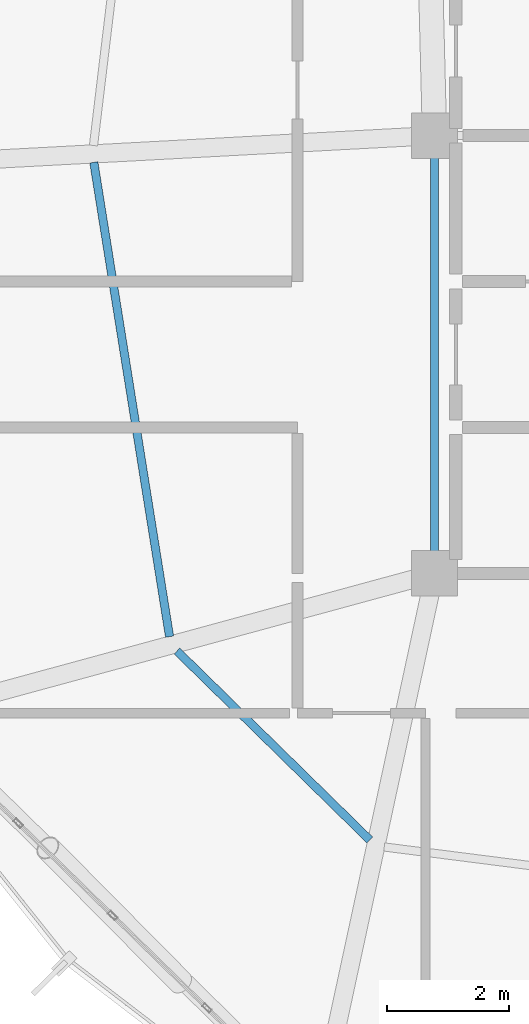
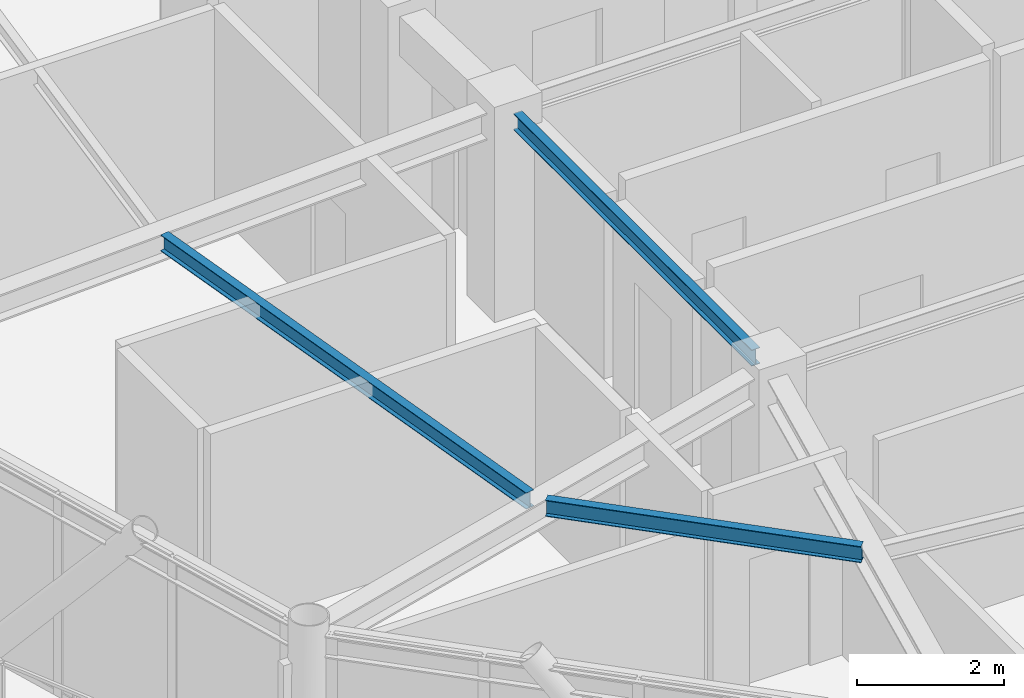
# One storey, part 5 of 25: 3 beams.
"""IFC4 building model written with IfcOpenShell, lengths in metres."""

from ifc_helpers import new_model, si_unit, direction, frame, origin, origin_2d, place, context, subcontext, project, spatial, i_section, extrude, material, material_profile, profile_set, type_object, element, save


model = new_model("IFC4")

# Units and contexts
model_context = context("Model", 3, precision=1e-05, world=origin(), true_north=direction((0.0, 1.0)))
body_context = subcontext(model_context, "Body", "Model", "MODEL_VIEW")
ifc_project = project(units=[si_unit("LENGTHUNIT", "METRE"), si_unit("AREAUNIT", "SQUARE_METRE"), si_unit("VOLUMEUNIT", "CUBIC_METRE"), si_unit("PLANEANGLEUNIT", "RADIAN"), si_unit("MASSUNIT", "GRAM", prefix="KILO")], contexts=[model_context])

# Site, building, storey
site_placement = place(None, origin())
site = spatial("IfcSite", under=ifc_project, at=site_placement, CompositionType="ELEMENT")
building_placement = place(site_placement, origin())
building = spatial("IfcBuilding", under=site, at=building_placement, Name="Varnakorn Sky Granary", CompositionType="ELEMENT")
storey_placement = place(building_placement, frame((0.0, 0.0, 252.60009765625)))
storey = spatial("IfcBuildingStorey", under=building, at=storey_placement, Name="L64", CompositionType="ELEMENT", Elevation=252.60009765625)

# Beams
ifc_material = material(Name="Steel S355JR", Category="steel")
ifc_material_profile = material_profile(ifc_material, i_section(OverallWidth=0.135009765625, OverallDepth=0.27001953125, WebThickness=0.006591796875, FlangeThickness=0.01025390625, at=origin_2d()), Name="IPE 270")
ifc_profile_set = profile_set([ifc_material_profile], Name="Steel S355JR")
beam_type = type_object("IfcBeamType", Name="BM-SEC-Z5", PredefinedType="BEAM", material=ifc_profile_set)
beam_1_placement = place(storey_placement, frame((-7.953125, 0.1591796875, 3.224853515625), z_axis=(0.157689135346, -0.987488803275, 0.0), x_axis=(0.987488803275, 0.157689135346, 0.0)))
element("IfcBeam", 1, at=beam_1_placement, inside=storey, type_object=beam_type, Name="Secondary Floor Chord Beam MSB07 L64", PredefinedType="BEAM", context=body_context, shape_type="SweptSolid", body=[
    extrude(i_section(OverallWidth=0.135009765625, OverallDepth=0.27001953125, WebThickness=0.006591796875, FlangeThickness=0.01025390625, at=origin_2d()), origin(), (0.0, 0.0, 1.0), 7.899169921875),
])
beam_2_placement = place(storey_placement, frame((-6.58544921875, -7.87744140625, 3.224853515625), z_axis=(0.714167190406, -0.699975159664, 0.0), x_axis=(0.699975159664, 0.714167190406, 0.0)))
element("IfcBeam", 2, at=beam_2_placement, inside=storey, type_object=beam_type, Name="Secondary Floor Chord Beam MSB08 L64", PredefinedType="BEAM", context=body_context, shape_type="SweptSolid", body=[
    extrude(i_section(OverallWidth=0.135009765625, OverallDepth=0.27001953125, WebThickness=0.006591796875, FlangeThickness=0.01025390625, at=origin_2d()), origin(), (0.0, 0.0, 1.0), 4.438232421875),
])
beam_3_placement = place(storey_placement, frame((-2.35009765625, 0.2451171875, 3.224853515625), z_axis=(0.0, -1.0, 0.0), x_axis=(1.0, 0.0, 0.0)))
element("IfcBeam", 3, at=beam_3_placement, inside=storey, type_object=beam_type, Name="Core Spine Framing Beam 3 L64", PredefinedType="BEAM", context=body_context, shape_type="SweptSolid", body=[
    extrude(i_section(OverallWidth=0.135009765625, OverallDepth=0.27001953125, WebThickness=0.006591796875, FlangeThickness=0.01025390625, at=origin_2d()), origin(), (0.0, 0.0, 1.0), 6.490234375),
])

save(model, "model.ifc")
